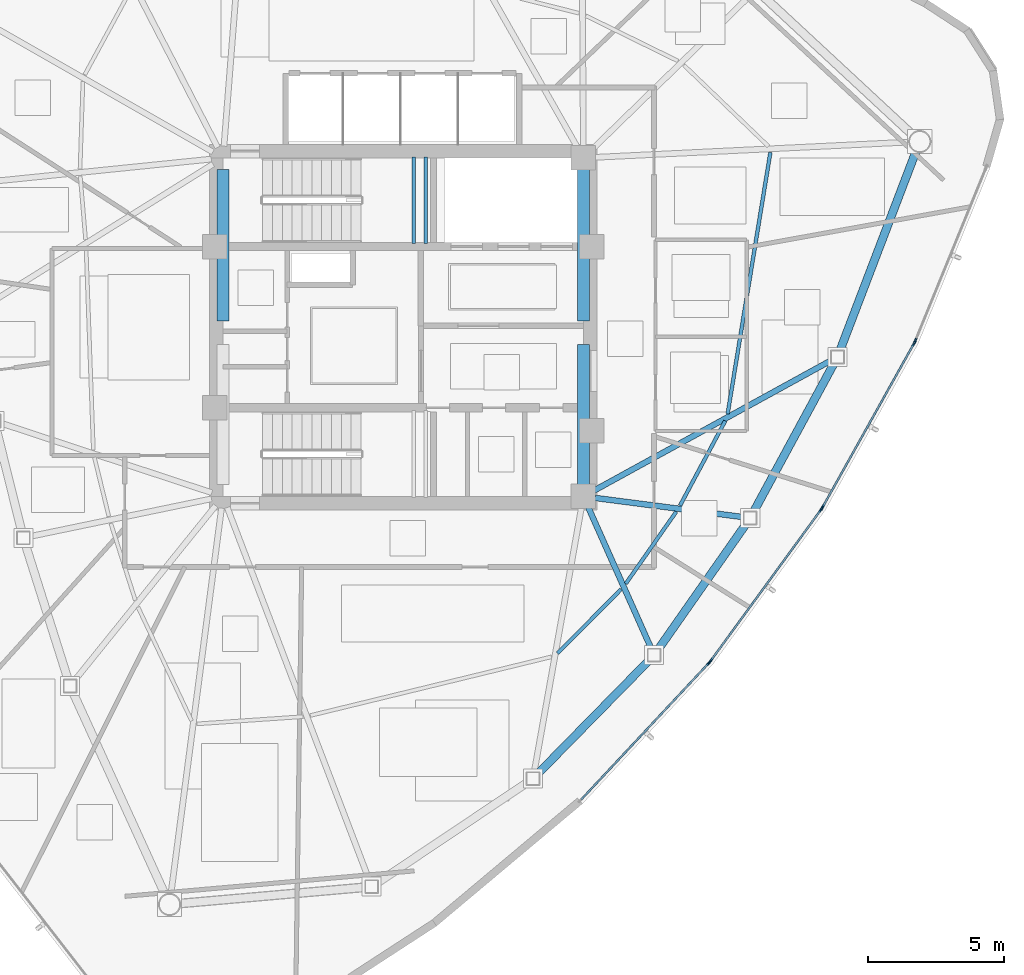
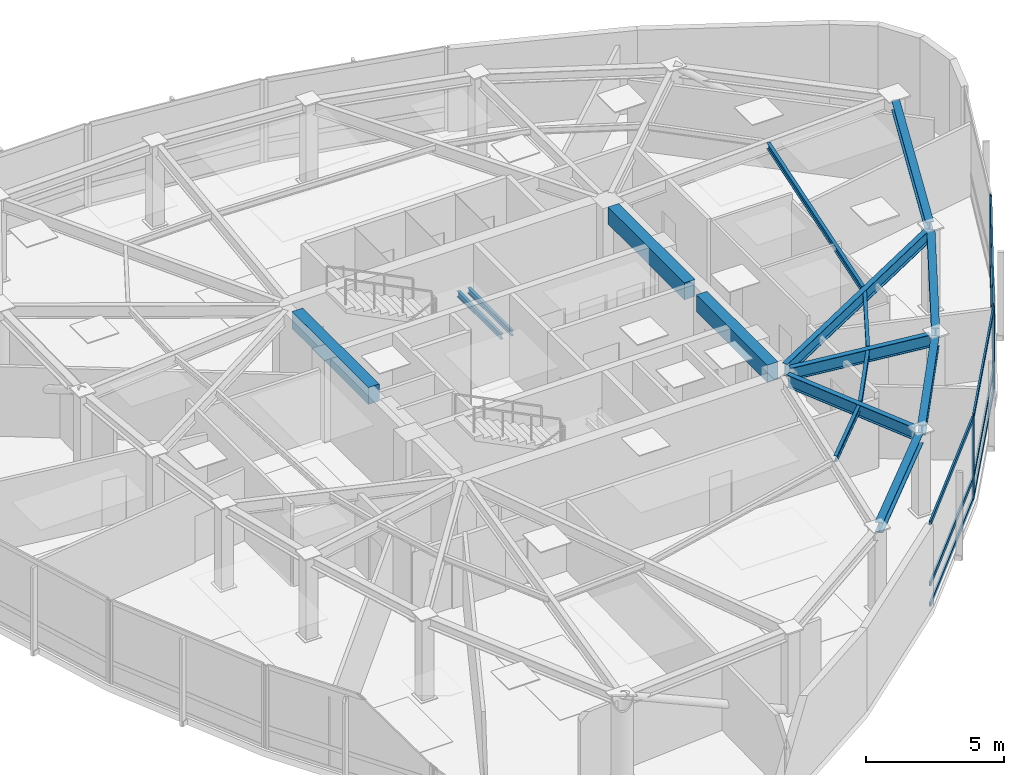
# One storey, part 4 of 14: 16 beams, 15 members, 4 elements without a shape of their own.
"""IFC4 building model written with IfcOpenShell, lengths in metres."""

from ifc_helpers import new_model, si_unit, direction, frame, origin, origin_2d, place, context, subcontext, project, spatial, rectangle, hollow_rectangle, i_section, extrude, source, transform, mapped, material, layer, layer_set, material_profile, profile_set, type_object, type_shapes, element, aggregate, save


model = new_model("IFC4")

# Units and contexts
model_context = context("Model", 3, precision=1e-05, world=origin(), true_north=direction((0.0, 1.0)))
body_context = subcontext(model_context, "Body", "Model", "MODEL_VIEW")
ifc_project = project(units=[si_unit("LENGTHUNIT", "METRE"), si_unit("AREAUNIT", "SQUARE_METRE"), si_unit("VOLUMEUNIT", "CUBIC_METRE"), si_unit("PLANEANGLEUNIT", "RADIAN"), si_unit("MASSUNIT", "GRAM", prefix="KILO")], contexts=[model_context])

# Site, building, storey
site_placement = place(None, origin())
site = spatial("IfcSite", under=ifc_project, at=site_placement, CompositionType="ELEMENT")
building_placement = place(site_placement, origin())
building = spatial("IfcBuilding", under=site, at=building_placement, Name="Tavelor Broadcast Tower", CompositionType="ELEMENT")
storey_placement = place(building_placement, frame((0.0, 0.0, 253.75)))
storey = spatial("IfcBuildingStorey", under=building, at=storey_placement, Name="L60", CompositionType="ELEMENT", Elevation=253.75)

# Beams
ifc_material_1 = material(Name="Concrete C40/50", Category="concrete")
ifc_material_profile_1 = material_profile(ifc_material_1, rectangle(XDim=0.449951171875, YDim=0.75, at=origin_2d()), Name="RC 450x750")
ifc_profile_set_1 = profile_set([ifc_material_profile_1], Name="Concrete C40/50")
beam_type_1 = type_object("IfcBeamType", Name="Basement Core Trim Beam 450x750", PredefinedType="BEAM", material=ifc_profile_set_1)
for number, where, z_axis, x_axis, name in (
    (1, (43.39990234375, 45.23193359375, 3.27490234375), (0.0, 1.0, 0.0), (-1.0, 0.0, 0.0), "L60 Core West-N Tie Girder"),
    (2, (56.60009765625, 45.23193359375, 3.27490234375), (0.0, 1.0, 0.0), (-1.0, 0.0, 0.0), "L60 Core East-N Tie Girder"),
):
    element("IfcBeam", number, at=place(storey_placement, frame(where, z_axis=z_axis, x_axis=x_axis)), inside=storey, type_object=beam_type_1, Name=name, PredefinedType="BEAM", context=body_context, shape_type="SweptSolid", body=[
        extrude(rectangle(XDim=0.449951171875, YDim=0.75, at=origin_2d()), origin(), (0.0, 0.0, 1.0), 5.5361328125),
    ])
beam_1_placement = place(storey_placement, frame((56.60009765625, 39.23193359375, 3.27490234375), z_axis=(0.0, 1.0, 0.0), x_axis=(-1.0, 0.0, 0.0)))
element("IfcBeam", 3, at=beam_1_placement, inside=storey, type_object=beam_type_1, Name="L60 Core East-S Tie Girder", PredefinedType="BEAM", context=body_context, shape_type="SweptSolid", body=[
    extrude(rectangle(XDim=0.449951171875, YDim=0.75, at=origin_2d()), origin(), (0.0, 0.0, 1.0), 5.135986328125),
])
ifc_material_2 = material(Name="Steel S355", Category="steel")
ifc_material_profile_2 = material_profile(ifc_material_2, i_section(OverallWidth=0.135009765625, OverallDepth=0.27001953125, WebThickness=0.006591796875, FlangeThickness=0.01025390625, at=origin_2d()), Name="IPE 270")
ifc_profile_set_2 = profile_set([ifc_material_profile_2], Name="Steel S355")
beam_type_2 = type_object("IfcBeamType", Name="Composite Floor Joist T6 IPE 270", PredefinedType="JOIST", material=ifc_profile_set_2)
beam_2_placement = place(storey_placement, frame((55.65087890625, 33.051025390625, 3.514892578125), z_axis=(0.704295844868, 0.709906587448, 0.0), x_axis=(-0.709906587448, 0.704295844868, 0.0)))
element("IfcBeam", 4, at=beam_2_placement, inside=storey, type_object=beam_type_2, Name="L60 Secondary Composite Floor Joist 09", PredefinedType="JOIST", context=body_context, shape_type="SweptSolid", body=[
    extrude(i_section(OverallWidth=0.135009765625, OverallDepth=0.27001953125, WebThickness=0.006591796875, FlangeThickness=0.01025390625, at=origin_2d()), origin(), (0.0, 0.0, 1.0), 3.306884765625),
])
beam_3_placement = place(storey_placement, frame((58.151611328125, 35.603759765625, 3.514892578125), z_axis=(0.574144058432, 0.818754297801, 0.0), x_axis=(-0.818754297801, 0.574144058432, 0.0)))
element("IfcBeam", 5, at=beam_3_placement, inside=storey, type_object=beam_type_2, Name="L60 Secondary Composite Floor Joist 10", PredefinedType="JOIST", context=body_context, shape_type="SweptSolid", body=[
    extrude(i_section(OverallWidth=0.135009765625, OverallDepth=0.27001953125, WebThickness=0.006591796875, FlangeThickness=0.01025390625, at=origin_2d()), origin(), (0.0, 0.0, 1.0), 3.2197265625),
])
beam_4_placement = place(storey_placement, frame((60.140625, 38.46826171875, 3.514892578125), z_axis=(0.471240390591, 0.882004815336, 0.0), x_axis=(-0.882004815336, 0.471240390591, 0.0)))
element("IfcBeam", 6, at=beam_4_placement, inside=storey, type_object=beam_type_2, Name="L60 Secondary Composite Floor Joist 11", PredefinedType="JOIST", context=body_context, shape_type="SweptSolid", body=[
    extrude(i_section(OverallWidth=0.135009765625, OverallDepth=0.27001953125, WebThickness=0.006591796875, FlangeThickness=0.01025390625, at=origin_2d()), origin(), (0.0, 0.0, 1.0), 3.51611328125),
])
beam_5_placement = place(storey_placement, frame((61.882568359375, 41.820556640625, 3.514892578125), z_axis=(0.161347849281, 0.986897599314, 0.0), x_axis=(-0.986897599314, 0.161347849281, 0.0)))
element("IfcBeam", 7, at=beam_5_placement, inside=storey, type_object=beam_type_2, Name="L60 Secondary Composite Floor Joist 12", PredefinedType="JOIST", context=body_context, shape_type="SweptSolid", body=[
    extrude(i_section(OverallWidth=0.135009765625, OverallDepth=0.27001953125, WebThickness=0.006591796875, FlangeThickness=0.01025390625, at=origin_2d()), origin(), (0.0, 0.0, 1.0), 9.708251953125),
])
ifc_material_profile_3 = material_profile(ifc_material_2, i_section(OverallWidth=0.300048828125, OverallDepth=0.449951171875, WebThickness=0.013916015625, FlangeThickness=0.02587890625, at=origin_2d()), Name="HEB 450")
ifc_profile_set_3 = profile_set([ifc_material_profile_3], Name="Steel S355")
beam_type_3 = type_object("IfcBeamType", Name="Perimeter Spandrel Beam T6 HEB 450", PredefinedType="SPANDREL", material=ifc_profile_set_3)
beam_6_placement = place(storey_placement, frame((54.922119140625, 28.6328125, 3.425048828125), z_axis=(0.700176807099, 0.713969494307, 0.0), x_axis=(-0.713969494307, 0.700176807099, 0.0)))
element("IfcBeam", 8, at=beam_6_placement, inside=storey, type_object=beam_type_3, Name="L60 Framed-Tube Ring Spandrel 09", PredefinedType="SPANDREL", context=body_context, shape_type="SweptSolid", body=[
    extrude(i_section(OverallWidth=0.300048828125, OverallDepth=0.449951171875, WebThickness=0.013916015625, FlangeThickness=0.02587890625, at=origin_2d()), origin(), (0.0, 0.0, 1.0), 5.85888671875),
])
beam_7_placement = place(storey_placement, frame((59.330078125, 33.18359375, 3.425048828125), z_axis=(0.57381017658, 0.81898832791, 0.0), x_axis=(-0.81898832791, 0.57381017658, 0.0)))
element("IfcBeam", 9, at=beam_7_placement, inside=storey, type_object=beam_type_3, Name="L60 Framed-Tube Ring Spandrel 10", PredefinedType="SPANDREL", context=body_context, shape_type="SweptSolid", body=[
    extrude(i_section(OverallWidth=0.300048828125, OverallDepth=0.449951171875, WebThickness=0.013916015625, FlangeThickness=0.02587890625, at=origin_2d()), origin(), (0.0, 0.0, 1.0), 5.652099609375),
])
beam_8_placement = place(storey_placement, frame((62.8251953125, 38.22021484375, 3.425048828125), z_axis=(0.47632985399, 0.879266666147, 0.0), x_axis=(-0.879266666147, 0.47632985399, 0.0)))
element("IfcBeam", 10, at=beam_8_placement, inside=storey, type_object=beam_type_3, Name="L60 Framed-Tube Ring Spandrel 11", PredefinedType="SPANDREL", context=body_context, shape_type="SweptSolid", body=[
    extrude(i_section(OverallWidth=0.300048828125, OverallDepth=0.449951171875, WebThickness=0.013916015625, FlangeThickness=0.02587890625, at=origin_2d()), origin(), (0.0, 0.0, 1.0), 6.23046875),
])
beam_9_placement = place(storey_placement, frame((65.992919921875, 44.133544921875, 3.425048828125), z_axis=(0.356694129759, 0.934221225297, 0.0), x_axis=(-0.934221225297, 0.356694129759, 0.0)))
element("IfcBeam", 11, at=beam_9_placement, inside=storey, type_object=beam_type_3, Name="L60 Framed-Tube Ring Spandrel 12", PredefinedType="SPANDREL", context=body_context, shape_type="SweptSolid", body=[
    extrude(i_section(OverallWidth=0.300048828125, OverallDepth=0.449951171875, WebThickness=0.013916015625, FlangeThickness=0.02587890625, at=origin_2d()), origin(), (0.0, 0.0, 1.0), 7.815185546875),
])
ifc_material_profile_4 = material_profile(ifc_material_2, i_section(OverallWidth=0.2099609375, OverallDepth=0.550048828125, WebThickness=0.010986328125, FlangeThickness=0.01708984375, at=origin_2d()), Name="IPE 550")
ifc_profile_set_4 = profile_set([ifc_material_profile_4], Name="Steel S355")
beam_type_4 = type_object("IfcBeamType", Name="Radial Floor Girder T6 IPE 550", PredefinedType="BEAM", material=ifc_profile_set_4)
beam_10_placement = place(storey_placement, frame((56.77587890625, 38.405517578125, 3.375), z_axis=(0.407288107578, -0.913299730333, 0.0), x_axis=(0.913299730333, 0.407288107578, 0.0)))
element("IfcBeam", 12, at=beam_10_placement, inside=storey, type_object=beam_type_4, Name="L60 Radial Primary Floor Girder 10", PredefinedType="BEAM", context=body_context, shape_type="SweptSolid", body=[
    extrude(i_section(OverallWidth=0.2099609375, OverallDepth=0.550048828125, WebThickness=0.010986328125, FlangeThickness=0.01708984375, at=origin_2d()), origin(), (0.0, 0.0, 1.0), 5.69287109375),
])
beam_11_placement = place(storey_placement, frame((57.0283203125, 38.74462890625, 3.375), z_axis=(0.991724434726, -0.128384755977, 0.0), x_axis=(0.128384755977, 0.991724434726, 0.0)))
element("IfcBeam", 13, at=beam_11_placement, inside=storey, type_object=beam_type_4, Name="L60 Radial Primary Floor Girder 11", PredefinedType="BEAM", context=body_context, shape_type="SweptSolid", body=[
    extrude(i_section(OverallWidth=0.2099609375, OverallDepth=0.550048828125, WebThickness=0.010986328125, FlangeThickness=0.01708984375, at=origin_2d()), origin(), (0.0, 0.0, 1.0), 5.489990234375),
])
beam_12_placement = place(storey_placement, frame((56.978759765625, 39.0078125, 3.375), z_axis=(0.876588297322, 0.481241059136, 0.0), x_axis=(-0.481241059136, 0.876588297322, 0.0)))
element("IfcBeam", 14, at=beam_12_placement, inside=storey, type_object=beam_type_4, Name="L60 Radial Primary Floor Girder 12", PredefinedType="BEAM", context=body_context, shape_type="SweptSolid", body=[
    extrude(i_section(OverallWidth=0.2099609375, OverallDepth=0.550048828125, WebThickness=0.010986328125, FlangeThickness=0.01708984375, at=origin_2d()), origin(), (0.0, 0.0, 1.0), 9.9453125),
])
ifc_material_profile_5 = material_profile(ifc_material_2, i_section(OverallWidth=0.1201171875, OverallDepth=0.239990234375, WebThickness=0.006103515625, FlangeThickness=0.009765625, at=origin_2d()), Name="IPE 240")
ifc_profile_set_5 = profile_set([ifc_material_profile_5], Name="Steel S355")
beam_type_5 = type_object("IfcBeamType", Name="Stairwell Landing Support Trimmer Beam IPE240", PredefinedType="BEAM", material=ifc_profile_set_5)
for number, where, z_axis, x_axis, name in (
    (15, (50.385009765625, 48.06005859375, 1.659912109375), (0.0, 1.0, 0.0), (-1.0, 0.0, 0.0), "L60 Stair Landing Support Beam 161"),
    (16, (50.824951171875, 48.06005859375, 1.659912109375), (0.0, 1.0, 0.0), (-1.0, 0.0, 0.0), "L60 Stair Landing Support Beam 162"),
):
    element("IfcBeam", number, at=place(storey_placement, frame(where, z_axis=z_axis, x_axis=x_axis)), inside=storey, type_object=beam_type_5, Name=name, PredefinedType="BEAM", context=body_context, shape_type="SweptSolid", body=[
        extrude(i_section(OverallWidth=0.1201171875, OverallDepth=0.239990234375, WebThickness=0.006103515625, FlangeThickness=0.009765625, at=origin_2d()), origin(), (0.0, 0.0, 1.0), 3.179931640625),
    ])

# Curtain wall, member
ifc_material_3 = material(Name="Architectural Anodized Aluminium", Category="aluminium")
ifc_layer = layer(ifc_material_3, 0.199951171875)
ifc_layer_set = layer_set([ifc_layer], Name="Architectural Anodized Aluminium")
curtain_wall_type = type_object("IfcCurtainWallType", Name="Tower High-Zone Triple-Glazed Curtain Wall CW04", PredefinedType="NOTDEFINED", material=ifc_layer_set)
curtain_wall_1_placement = place(storey_placement, origin())
curtain_wall_1 = element("IfcCurtainWall", 17, at=curtain_wall_1_placement, inside=storey, type_object=curtain_wall_type, Name="L60 Curtain Wall CW04 Run 653", PredefinedType="NOTDEFINED")
ifc_material_profile_6 = material_profile(ifc_material_3, hollow_rectangle(XDim=0.070068359375, YDim=0.199951171875, WallThickness=0.02197265625, at=origin_2d()), Name="RHS 70x200x22")
ifc_profile_set_6 = profile_set([ifc_material_profile_6], Name="Architectural Anodized Aluminium")
member_type_1 = type_object("IfcMemberType", Name="CW04 Extruded Aluminium Mullion 70x200", PredefinedType="MULLION", material=ifc_profile_set_6)
shared_shape_1 = source(origin(), body_context, "Body", "SweptSolid", [
    extrude(hollow_rectangle(XDim=0.070068359375, YDim=0.199951171875, WallThickness=0.02197265625, at=origin_2d()), origin(), (0.0, 0.0, 1.0), 3.64990234375),
])
type_shapes(member_type_1, [shared_shape_1])
member_1_placement = place(storey_placement, frame((61.1943359375, 32.6962890625, 0.0), z_axis=(0.0, 0.0, 1.0), x_axis=(-0.730451737059, 0.682964318122, 0.0)))
member_1 = element("IfcMember", 18, at=member_1_placement, type_object=member_type_1, Name="CW04 mullion 2", PredefinedType="MULLION", context=body_context, shape_type="MappedRepresentation", body=[
    mapped(shared_shape_1, transform((0.0, 0.0, 0.0), scale=1.0)),
])

# Curtain wall, members
curtain_wall_2_placement = place(storey_placement, origin())
curtain_wall_2 = element("IfcCurtainWall", 19, at=curtain_wall_2_placement, inside=storey, type_object=curtain_wall_type, Name="L60 Curtain Wall CW04 Run 654", PredefinedType="NOTDEFINED")
member_2_placement = place(storey_placement, frame((61.2578125, 32.773193359375, 0.0), z_axis=(0.0, 0.0, 1.0), x_axis=(-0.807733056651, 0.589548394276, 0.0)))
member_2 = element("IfcMember", 20, at=member_2_placement, type_object=member_type_1, Name="CW04 mullion 1", PredefinedType="MULLION", context=body_context, shape_type="MappedRepresentation", body=[
    mapped(shared_shape_1, transform((0.0, 0.0, 0.0), scale=1.0)),
])
member_3_placement = place(storey_placement, frame((65.305908203125, 38.3193359375, 0.0), z_axis=(0.0, 0.0, 1.0), x_axis=(-0.807733056651, 0.589548394276, 0.0)))
member_3 = element("IfcMember", 21, at=member_3_placement, type_object=member_type_1, Name="CW04 mullion 2", PredefinedType="MULLION", context=body_context, shape_type="MappedRepresentation", body=[
    mapped(shared_shape_1, transform((0.0, 0.0, 0.0), scale=1.0)),
])

curtain_wall_3_placement = place(storey_placement, origin())
curtain_wall_3 = element("IfcCurtainWall", 22, at=curtain_wall_3_placement, inside=storey, type_object=curtain_wall_type, Name="L60 Curtain Wall CW04 Run 655", PredefinedType="NOTDEFINED")
member_4_placement = place(storey_placement, frame((65.35986328125, 38.403564453125, 0.0), z_axis=(0.0, 0.0, 1.0), x_axis=(-0.873140051475, 0.487469435463, 0.0)))
member_4 = element("IfcMember", 23, at=member_4_placement, type_object=member_type_1, Name="CW04 mullion 1", PredefinedType="MULLION", context=body_context, shape_type="MappedRepresentation", body=[
    mapped(shared_shape_1, transform((0.0, 0.0, 0.0), scale=1.0)),
])
member_5_placement = place(storey_placement, frame((68.706787109375, 44.398681640625, 0.0), z_axis=(0.0, 0.0, 1.0), x_axis=(-0.873140051475, 0.487469435463, 0.0)))
member_5 = element("IfcMember", 24, at=member_5_placement, type_object=member_type_1, Name="CW04 mullion 2", PredefinedType="MULLION", context=body_context, shape_type="MappedRepresentation", body=[
    mapped(shared_shape_1, transform((0.0, 0.0, 0.0), scale=1.0)),
])

# Curtain wall, member
curtain_wall_4_placement = place(storey_placement, origin())
curtain_wall_4 = element("IfcCurtainWall", 25, at=curtain_wall_4_placement, inside=storey, type_object=curtain_wall_type, Name="L60 Curtain Wall CW04 Run 656", PredefinedType="NOTDEFINED")
member_6_placement = place(storey_placement, frame((68.750244140625, 44.488525390625, 0.0), z_axis=(0.0, 0.0, 1.0), x_axis=(-0.925719619524, 0.378210504914, 0.0)))
member_6 = element("IfcMember", 26, at=member_6_placement, type_object=member_type_1, Name="CW04 mullion 1", PredefinedType="MULLION", context=body_context, shape_type="MappedRepresentation", body=[
    mapped(shared_shape_1, transform((0.0, 0.0, 0.0), scale=1.0)),
])
aggregate(curtain_wall_4, [member_6])

# Member
ifc_material_profile_7 = material_profile(ifc_material_3, hollow_rectangle(XDim=0.070068359375, YDim=0.199951171875, WallThickness=0.02197265625, at=origin_2d()), Name="RHS 70x200x22")
ifc_profile_set_7 = profile_set([ifc_material_profile_7], Name="Architectural Anodized Aluminium")
member_type_2 = type_object("IfcMemberType", Name="CW04 Extruded Aluminium Transom 70x200", PredefinedType="USERDEFINED", material=ifc_profile_set_7)
shared_shape_2 = source(origin(), body_context, "Body", "SweptSolid", [
    extrude(hollow_rectangle(XDim=0.070068359375, YDim=0.199951171875, WallThickness=0.02197265625, at=origin_2d()), origin(), (0.0, 0.0, 1.0), 6.811279296875),
])
member_7_placement = place(storey_placement, frame((56.5185546875, 27.6953125, 0.034912109375), z_axis=(0.682961636012, 0.730454244793, 0.0), x_axis=(-0.730454244793, 0.682961636012, 0.0)))
member_7 = element("IfcMember", 27, at=member_7_placement, type_object=member_type_2, Name="CW04 transom 1.1", ObjectType="TRANSOM", PredefinedType="USERDEFINED", context=body_context, shape_type="MappedRepresentation", body=[
    mapped(shared_shape_2, transform((0.0, 0.0, 0.0), scale=1.0)),
])

member_8_placement = place(storey_placement, frame((56.5185546875, 27.6953125, 0.949951171875), z_axis=(0.682961636012, 0.730454244793, 0.0), x_axis=(-0.730454244793, 0.682961636012, 0.0)))
member_8 = element("IfcMember", 28, at=member_8_placement, type_object=member_type_2, Name="CW04 transom 1.2", ObjectType="TRANSOM", PredefinedType="USERDEFINED", context=body_context, shape_type="MappedRepresentation", body=[
    mapped(shared_shape_2, transform((0.0, 0.0, 0.0), scale=1.0)),
])

member_9_placement = place(storey_placement, frame((56.5185546875, 27.6953125, 3.614990234375), z_axis=(0.682961636012, 0.730454244793, 0.0), x_axis=(-0.730454244793, 0.682961636012, 0.0)))
member_9 = element("IfcMember", 29, at=member_9_placement, type_object=member_type_2, Name="CW04 transom 1.3", ObjectType="TRANSOM", PredefinedType="USERDEFINED", context=body_context, shape_type="MappedRepresentation", body=[
    mapped(shared_shape_2, transform((0.0, 0.0, 0.0), scale=1.0)),
])

aggregate(curtain_wall_1, [member_1, member_7, member_8, member_9])

shared_shape_3 = source(origin(), body_context, "Body", "SweptSolid", [
    extrude(hollow_rectangle(XDim=0.070068359375, YDim=0.199951171875, WallThickness=0.02197265625, at=origin_2d()), origin(), (0.0, 0.0, 1.0), 6.79638671875),
])
type_shapes(member_type_2, [shared_shape_2, shared_shape_3])
member_10_placement = place(storey_placement, frame((61.278564453125, 32.801513671875, 0.034912109375), z_axis=(0.589546355442, 0.807734544752, 0.0), x_axis=(-0.807734544752, 0.589546355442, 0.0)))
member_10 = element("IfcMember", 30, at=member_10_placement, type_object=member_type_2, Name="CW04 transom 1.1", ObjectType="TRANSOM", PredefinedType="USERDEFINED", context=body_context, shape_type="MappedRepresentation", body=[
    mapped(shared_shape_3, transform((0.0, 0.0, 0.0), scale=1.0)),
])

member_11_placement = place(storey_placement, frame((61.278564453125, 32.801513671875, 0.949951171875), z_axis=(0.589546355442, 0.807734544752, 0.0), x_axis=(-0.807734544752, 0.589546355442, 0.0)))
member_11 = element("IfcMember", 31, at=member_11_placement, type_object=member_type_2, Name="CW04 transom 1.2", ObjectType="TRANSOM", PredefinedType="USERDEFINED", context=body_context, shape_type="MappedRepresentation", body=[
    mapped(shared_shape_3, transform((0.0, 0.0, 0.0), scale=1.0)),
])

member_12_placement = place(storey_placement, frame((61.278564453125, 32.801513671875, 3.614990234375), z_axis=(0.589546355442, 0.807734544752, 0.0), x_axis=(-0.807734544752, 0.589546355442, 0.0)))
member_12 = element("IfcMember", 32, at=member_12_placement, type_object=member_type_2, Name="CW04 transom 1.3", ObjectType="TRANSOM", PredefinedType="USERDEFINED", context=body_context, shape_type="MappedRepresentation", body=[
    mapped(shared_shape_3, transform((0.0, 0.0, 0.0), scale=1.0)),
])

aggregate(curtain_wall_2, [member_2, member_3, member_10, member_11, member_12])

member_13_placement = place(storey_placement, frame((65.376708984375, 38.43408203125, 0.034912109375), z_axis=(0.487471894529, 0.873138678587, 0.0), x_axis=(-0.873138678587, 0.487471894529, 0.0)))
member_13 = element("IfcMember", 33, at=member_13_placement, type_object=member_type_2, Name="CW04 transom 1.1", ObjectType="TRANSOM", PredefinedType="USERDEFINED", context=body_context, shape_type="MappedRepresentation", body=[
    mapped(shared_shape_3, transform((0.0, 0.0, 0.0), scale=1.0)),
])

member_14_placement = place(storey_placement, frame((65.376708984375, 38.43408203125, 0.949951171875), z_axis=(0.487471894529, 0.873138678587, 0.0), x_axis=(-0.873138678587, 0.487471894529, 0.0)))
member_14 = element("IfcMember", 34, at=member_14_placement, type_object=member_type_2, Name="CW04 transom 1.2", ObjectType="TRANSOM", PredefinedType="USERDEFINED", context=body_context, shape_type="MappedRepresentation", body=[
    mapped(shared_shape_3, transform((0.0, 0.0, 0.0), scale=1.0)),
])

member_15_placement = place(storey_placement, frame((65.376708984375, 38.43408203125, 3.614990234375), z_axis=(0.487471894529, 0.873138678587, 0.0), x_axis=(-0.873138678587, 0.487471894529, 0.0)))
member_15 = element("IfcMember", 35, at=member_15_placement, type_object=member_type_2, Name="CW04 transom 1.3", ObjectType="TRANSOM", PredefinedType="USERDEFINED", context=body_context, shape_type="MappedRepresentation", body=[
    mapped(shared_shape_3, transform((0.0, 0.0, 0.0), scale=1.0)),
])

aggregate(curtain_wall_3, [member_4, member_5, member_13, member_14, member_15])

save(model, "model.ifc")
